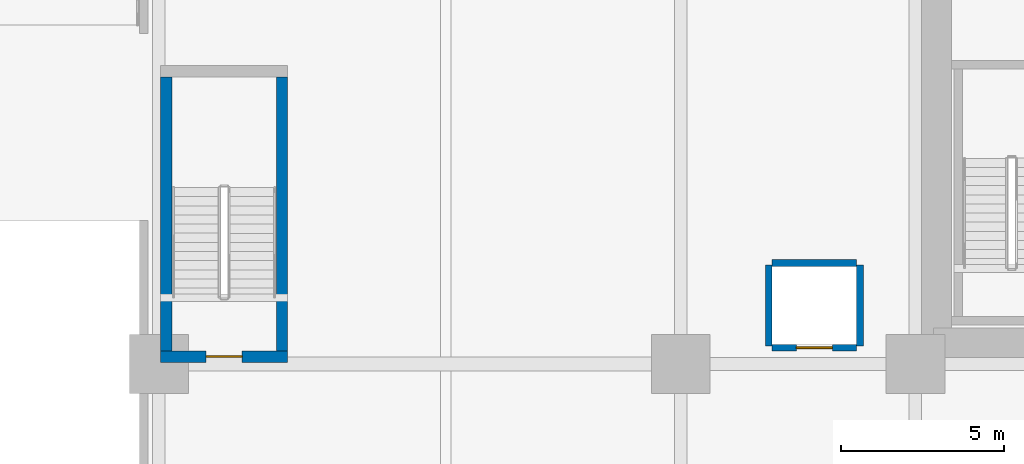
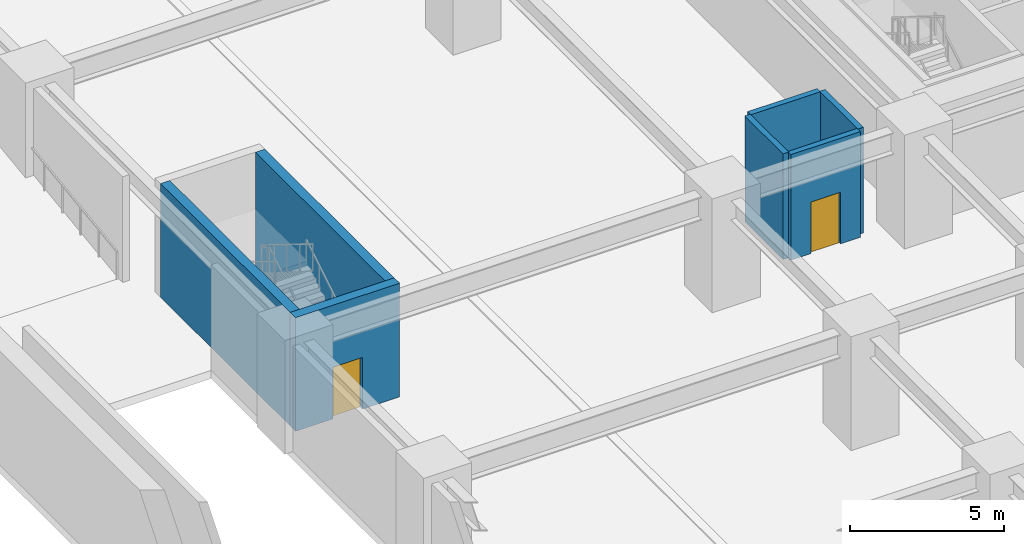
# One storey, part 7 of 20: 7 walls, 2 doors, 2 openings.
"""IFC4 building model written with IfcOpenShell, lengths in metres."""

from ifc_helpers import new_model, si_unit, direction, frame, frame_2d, origin, place, context, subcontext, project, spatial, rectangle, extrude, material, layer, layer_set, type_object, element, fill, save


model = new_model("IFC4")

# Units and contexts
model_context = context("Model", 3, precision=1e-05, world=origin(), true_north=direction((0.0, 1.0)))
body_context = subcontext(model_context, "Body", "Model", "MODEL_VIEW")
ifc_project = project(units=[si_unit("LENGTHUNIT", "METRE"), si_unit("AREAUNIT", "SQUARE_METRE"), si_unit("VOLUMEUNIT", "CUBIC_METRE"), si_unit("PLANEANGLEUNIT", "RADIAN"), si_unit("MASSUNIT", "GRAM", prefix="KILO")], contexts=[model_context])

# Site, building, storey
site_placement = place(None, origin())
site = spatial("IfcSite", under=ifc_project, at=site_placement, CompositionType="ELEMENT")
building_placement = place(site_placement, origin())
building = spatial("IfcBuilding", under=site, at=building_placement, Name="Kiyonajd Concourse Tower", CompositionType="ELEMENT")
storey_placement = place(building_placement, frame((0.0, 0.0, -4.5)))
storey = spatial("IfcBuildingStorey", under=building, at=storey_placement, Name="B1", CompositionType="ELEMENT", Elevation=-4.5)

# Wall, opening, door
ifc_material_1 = material(Name="Gypsum Board on Cold-Formed Steel Stud", Category="steel")
ifc_layer_1 = layer(ifc_material_1, 0.2099609375)
ifc_layer_set_1 = layer_set([ifc_layer_1], Name="Gypsum Board on Cold-Formed Steel Stud")
wall_type_1 = type_object("IfcWallType", Name="WL-SHAFT-210", PredefinedType="PARTITIONING", material=ifc_layer_set_1)
wall_1_placement = place(storey_placement, frame((28.0, 28.10009765625, 0.0), z_axis=(0.0, 0.0, 1.0), x_axis=(1.0, 0.0, 0.0)))
wall_1 = element("IfcWall", 1, at=wall_1_placement, inside=storey, type_object=wall_type_1, Name="B1 Shaft Enclosure Wall", PredefinedType="PARTITIONING", context=body_context, shape_type="SweptSolid", body=[
    extrude(rectangle(XDim=2.60009765625, YDim=0.2099609375, at=frame_2d((1.300048828125, 0.0))), origin(), (0.0, 0.0, 1.0), 4.179931640625),
])
opening_1_placement = place(wall_1_placement, frame((0.75, 0.0, 0.0)))
opening_1 = element("IfcOpeningElement", 2, at=opening_1_placement, cuts=wall_1, Name="Opening LD1", PredefinedType="OPENING", context=body_context, shape_type="SweptSolid", body=[
    extrude(rectangle(XDim=1.10009765625, YDim=2.0400390625, at=frame_2d((0.550048828125, 1.02001953125))), frame((0.0, 0.114990234375, 0.0), z_axis=(0.0, -1.0, 0.0), x_axis=(1.0, 0.0, 0.0)), (0.0, 0.0, 1.0), 0.22998046875),
])
ifc_material_2 = material(Name="Brushed Stainless Steel Cab Assembly", Category="steel")
door_type_1 = type_object("IfcDoorType", Name="DR-LD-1100", OperationType="DOUBLE_DOOR_SLIDING", PredefinedType="DOOR", material=ifc_material_2)
door_1_placement = place(opening_1_placement, origin())
door_1 = element("IfcDoor", 3, at=door_1_placement, inside=storey, type_object=door_type_1, Name="B1 Lift PD1 Sliding Landing Door", OperationType="DOUBLE_DOOR_SLIDING", OverallHeight=2.0400390625, OverallWidth=1.10009765625, PredefinedType="DOOR", context=body_context, shape_type="SweptSolid", body=[
    extrude(rectangle(XDim=1.10009765625, YDim=2.0400390625, at=frame_2d((0.550048828125, 1.02001953125))), frame((0.0, 0.02490234375, 0.0), z_axis=(0.0, -1.0, 0.0), x_axis=(1.0, 0.0, 0.0)), (0.0, 0.0, 1.0), 0.050048828125),
])
fill(opening_1, door_1)

# Walls
wall_2_placement = place(storey_placement, frame((28.0, 30.699951171875, 0.0), z_axis=(0.0, 0.0, 1.0), x_axis=(1.0, 0.0, 0.0)))
element("IfcWall", 4, at=wall_2_placement, inside=storey, type_object=wall_type_1, Name="B1 Shaft Enclosure Wall", PredefinedType="PARTITIONING", context=body_context, shape_type="SweptSolid", body=[
    extrude(rectangle(XDim=2.60009765625, YDim=0.2099609375, at=frame_2d((1.300048828125, 0.0))), origin(), (0.0, 0.0, 1.0), 4.179931640625),
])
for number, where, z_axis, x_axis, name in (
    (5, (27.89990234375, 28.159912109375, 0.0), (0.0, 0.0, 1.0), (0.0, 1.0, 0.0), "B1 Shaft Enclosure Wall"),
    (6, (30.699951171875, 28.159912109375, 0.0), (0.0, 0.0, 1.0), (0.0, 1.0, 0.0), "B1 Shaft Enclosure Wall"),
):
    element("IfcWall", number, at=place(storey_placement, frame(where, z_axis=z_axis, x_axis=x_axis)), inside=storey, type_object=wall_type_1, Name=name, PredefinedType="PARTITIONING", context=body_context, shape_type="SweptSolid", body=[
        extrude(rectangle(XDim=2.47998046875, YDim=0.2099609375, at=frame_2d((1.239990234375, 0.0))), origin(), (0.0, 0.0, 1.0), 4.179931640625),
    ])

# Wall, opening, door
ifc_material_3 = material(Name="Concrete C50/60", Category="concrete")
ifc_layer_2 = layer(ifc_material_3, 0.35009765625)
ifc_layer_set_2 = layer_set([ifc_layer_2], Name="Concrete C50/60")
wall_type_2 = type_object("IfcWallType", Name="WL-STAIR-350", PredefinedType="SHEAR", material=ifc_layer_set_2)
wall_3_placement = place(storey_placement, frame((9.25, 27.824951171875, 0.0), z_axis=(0.0, 0.0, 1.0), x_axis=(1.0, 0.0, 0.0)))
wall_3 = element("IfcWall", 7, at=wall_3_placement, inside=storey, type_object=wall_type_2, Name="B1 Stair ST4 Structural South Wall", PredefinedType="SHEAR", context=body_context, shape_type="SweptSolid", body=[
    extrude(rectangle(XDim=3.89990234375, YDim=0.35009765625, at=frame_2d((1.949951171875, 0.0))), origin(), (0.0, 0.0, 1.0), 4.5),
])
opening_2_placement = place(wall_3_placement, frame((1.39990234375, 0.0, 0.0)))
opening_2 = element("IfcOpeningElement", 8, at=opening_2_placement, cuts=wall_3, Name="Opening DF2", PredefinedType="OPENING", context=body_context, shape_type="SweptSolid", body=[
    extrude(rectangle(XDim=1.10009765625, YDim=2.050048828125, at=frame_2d((0.550048828125, 1.02490234375))), frame((0.0, 0.18505859375, 0.0), z_axis=(0.0, -1.0, 0.0), x_axis=(1.0, 0.0, 0.0)), (0.0, 0.0, 1.0), 0.3701171875),
])
door_type_2 = type_object("IfcDoorType", Name="DR-FD90-1100", OperationType="NOTDEFINED", PredefinedType="DOOR", material=ifc_material_2)
door_2_placement = place(opening_2_placement, origin())
door_2 = element("IfcDoor", 9, at=door_2_placement, inside=storey, type_object=door_type_2, Name="B1 Stair ST4 Fire Door", OperationType="SINGLE_SWING_LEFT", OverallHeight=2.050048828125, OverallWidth=1.10009765625, PredefinedType="DOOR", context=body_context, shape_type="SweptSolid", body=[
    extrude(rectangle(XDim=1.10009765625, YDim=2.050048828125, at=frame_2d((0.550048828125, 1.02490234375))), frame((0.0, 0.02490234375, 0.0), z_axis=(0.0, -1.0, 0.0), x_axis=(1.0, 0.0, 0.0)), (0.0, 0.0, 1.0), 0.050048828125),
])
fill(opening_2, door_2)

# Walls
for number, where, z_axis, x_axis, name in (
    (10, (9.425048828125, 28.0, 0.0), (0.0, 0.0, 1.0), (0.0, 1.0, 0.0), "B1 Stair ST4 Structural West Wall"),
    (11, (12.97509765625, 28.0, 0.0), (0.0, 0.0, 1.0), (0.0, 1.0, 0.0), "B1 Stair ST4 Structural East Wall"),
):
    element("IfcWall", number, at=place(storey_placement, frame(where, z_axis=z_axis, x_axis=x_axis)), inside=storey, type_object=wall_type_2, Name=name, PredefinedType="SHEAR", context=body_context, shape_type="SweptSolid", body=[
        extrude(rectangle(XDim=8.39990234375, YDim=0.35009765625, at=frame_2d((4.199951171875, 0.0))), origin(), (0.0, 0.0, 1.0), 4.5),
    ])

save(model, "model.ifc")
